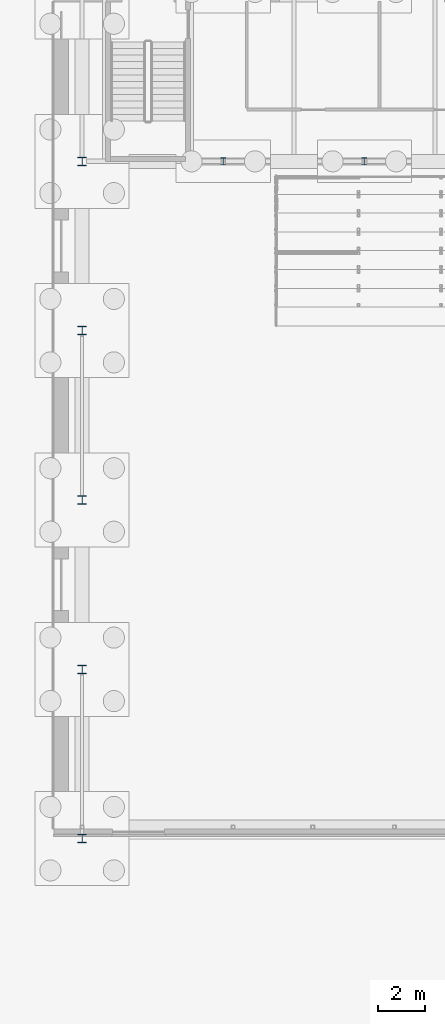
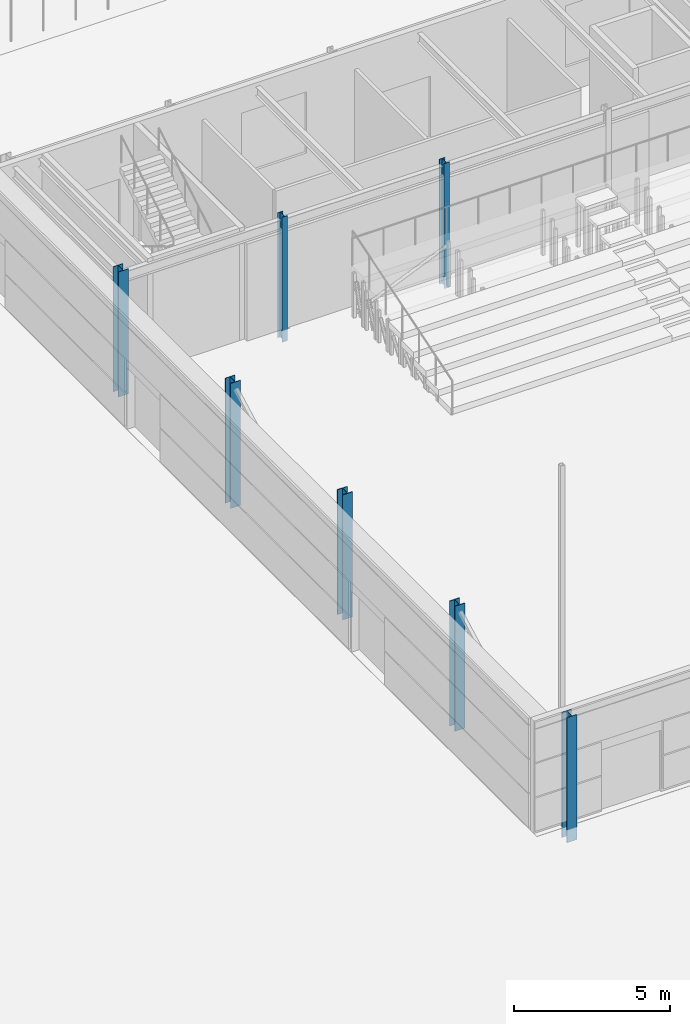
# One storey, part 14 of 139: 7 columns.
"""IFC4 building model written with IfcOpenShell, lengths in metres."""

import ifcopenshell
import ifcopenshell.guid

model = None  # the IFC model being written
_history = None  # IfcOwnerHistory: only IFC2X3 demands one
_inside = {}  # id of a spatial element -> (the spatial element, [elements in it])
_under = {}  # id of a project, library or spatial element -> (it, [spatial elements below it])
_declared = {}  # id of a project -> (the project, [libraries it declares])
_typed = {}  # id of a type object -> (the type object, [elements of that type])
_made_of = {}  # id of a material, layer set ... -> (it, [elements and type objects made of it])


def new_model(schema):
    """Start an empty IFC model of exactly this schema.

    Asked for "IFC4X3", IfcOpenShell would pick the latest addendum, in which some entities
    have other attributes; the version numbers below select the first issue.
    IFC2X3 requires an IfcOwnerHistory on every rooted entity: one is made here for all.
    """
    global model, _history
    if schema == "IFC4X3":
        model = ifcopenshell.file(schema_version=(4, 3, 0, 0))
    else:
        model = ifcopenshell.file(schema=schema)
    _inside.clear()
    _under.clear()
    _declared.clear()
    _typed.clear()
    _made_of.clear()
    _history = None
    if model.schema == "IFC2X3":
        org = make("IfcOrganization", Name="unknown")
        user = make(
            "IfcPersonAndOrganization",
            ThePerson=make("IfcPerson", FamilyName="unknown"),
            TheOrganization=org,
        )
        app = make(
            "IfcApplication",
            ApplicationDeveloper=org,
            Version="unknown",
            ApplicationFullName="unknown",
            ApplicationIdentifier="unknown",
        )
        _history = make(
            "IfcOwnerHistory",
            OwningUser=user,
            OwningApplication=app,
            ChangeAction="ADDED",
            CreationDate=0,
        )
    return model


def make(cls, **values):
    """One entity of the class cls with the attributes given. An attribute that is None is left unset."""
    return model.create_entity(
        cls, **{name: value for name, value in values.items() if value is not None}
    )


def rooted(cls, **values):
    """An entity with a GlobalId (a new one), such as an element, a storey or a relation."""
    return make(cls, GlobalId=ifcopenshell.guid.new(), OwnerHistory=_history, **values)


def si_unit(unit_type, name, prefix=None):
    """IfcSIUnit, for example si_unit("LENGTHUNIT", "METRE", prefix="MILLI")."""
    return make("IfcSIUnit", UnitType=unit_type, Prefix=prefix, Name=name)


def assignment(units):
    """IfcUnitAssignment: the units of a project."""
    return None if units is None else make("IfcUnitAssignment", Units=units)


def point(xyz):
    """IfcCartesianPoint."""
    return None if xyz is None else make("IfcCartesianPoint", Coordinates=xyz)


def direction(xyz):
    """IfcDirection."""
    return None if xyz is None else make("IfcDirection", DirectionRatios=xyz)


def frame(location, z_axis=None, x_axis=None):
    """IfcAxis2Placement3D, a coordinate frame: its origin and axes. An axis left out is left unset."""
    return make(
        "IfcAxis2Placement3D",
        Location=point(location),
        Axis=direction(z_axis),
        RefDirection=direction(x_axis),
    )


def frame_2d(location, x_axis=None):
    """IfcAxis2Placement2D, a coordinate frame in the plane: its origin and x axis."""
    return make(
        "IfcAxis2Placement2D", Location=point(location), RefDirection=direction(x_axis)
    )


def origin():
    """The frame at (0, 0, 0) with its axes left unset."""
    return frame((0.0, 0.0, 0.0))


def origin_2d():
    """The frame at (0, 0) in the plane with its x axis left unset."""
    return frame_2d((0.0, 0.0))


def place(relative_to, where):
    """IfcLocalPlacement: puts the frame where relative to a parent placement (None: the world)."""
    return make(
        "IfcLocalPlacement", PlacementRelTo=relative_to, RelativePlacement=where
    )


def context(
    kind, dimensions, precision=None, world=None, true_north=None, identifier=None
):
    """IfcGeometricRepresentationContext, for example the 3D "Model" context."""
    return make(
        "IfcGeometricRepresentationContext",
        ContextIdentifier=identifier,
        ContextType=kind,
        CoordinateSpaceDimension=dimensions,
        Precision=precision,
        WorldCoordinateSystem=world,
        TrueNorth=true_north,
    )


def subcontext(parent, identifier, kind, view, scale=None):
    """IfcGeometricRepresentationSubContext, for example "Body" below "Model"."""
    return make(
        "IfcGeometricRepresentationSubContext",
        ContextIdentifier=identifier,
        ContextType=kind,
        ParentContext=parent,
        TargetScale=scale,
        TargetView=view,
    )


def project(units=None, contexts=None):
    """IfcProject with its units and contexts."""
    return rooted(
        "IfcProject",
        Name="project",
        RepresentationContexts=contexts,
        UnitsInContext=assignment(units),
    )


def spatial(cls, under=None, at=None, **own):
    """A site, building, storey or space (cls), placed at a placement, below another one or the project."""
    s = rooted(cls, ObjectPlacement=at, **own)
    if under is not None:
        _under.setdefault(under.id(), (under, []))[1].append(s)
    return s


def profile(cls, at=None, kind="AREA", **sizes):
    """A parametric profile (cls). Its sizes go by their IFC names, for example OverallWidth=200.0."""
    return make(cls, ProfileType=kind, Position=at, **sizes)


def i_section(**sizes):
    """IfcIShapeProfileDef."""
    return profile("IfcIShapeProfileDef", **sizes)


def extrude(swept, where, along, depth):
    """IfcExtrudedAreaSolid: the profile swept, set in the frame where, extruded along a direction by depth."""
    return make(
        "IfcExtrudedAreaSolid",
        SweptArea=swept,
        Position=where,
        ExtrudedDirection=direction(along),
        Depth=depth,
    )


def shape(context_of_items, identifier, shape_type, items):
    """IfcShapeRepresentation: the items that make up one representation, for example the "Body"."""
    return make(
        "IfcShapeRepresentation",
        ContextOfItems=context_of_items,
        RepresentationIdentifier=identifier,
        RepresentationType=shape_type,
        Items=items,
    )


def material(Name=None, Category=None):
    """IfcMaterial."""
    return make("IfcMaterial", Name=Name, Category=Category)


def material_profile(
    of_material, cross_section, Name=None, Category=None, Priority=None
):
    """IfcMaterialProfile: a cross section and its material."""
    return make(
        "IfcMaterialProfile",
        Name=Name,
        Material=of_material,
        Profile=cross_section,
        Priority=Priority,
        Category=Category,
    )


def profile_set(profiles, Name=None, composite=None):
    """IfcMaterialProfileSet."""
    return make(
        "IfcMaterialProfileSet",
        Name=Name,
        MaterialProfiles=profiles,
        CompositeProfile=composite,
    )


def made_of(thing, what):
    """Note that an element or type object is made of a material, layer set ...; save() writes the relation."""
    if what is not None:
        _made_of.setdefault(what.id(), (what, []))[1].append(thing)
    return thing


def type_object(cls, material=None, **own):
    """A type object (cls), such as IfcWallType, which elements share."""
    return made_of(rooted(cls, **own), material)


def element(
    cls,
    number,
    at=None,
    inside=None,
    cuts=None,
    type_object=None,
    material=None,
    context=None,
    identifier="Body",
    shape_type=None,
    held_by="IfcProductDefinitionShape",
    body=None,
    shapes=None,
    **own,
):
    """One element of the class cls, such as IfcWall. Its Tag is "e" and its number.

    at: its placement. inside: the storey or other place that contains it. cuts: it is an
    opening in that element (IfcRelVoidsElement). A single representation is given by context,
    identifier, shape_type and body (its items); several are given by shapes. held_by: the class
    of the entity that holds the representations. save() writes the other relations.
    """
    e = rooted(cls, Tag="e%d" % number, ObjectPlacement=at, **own)
    if body is not None:
        shapes = [shape(context, identifier, shape_type, body)]
    if shapes is not None:
        e.Representation = make(held_by, Representations=shapes)
    if inside is not None:
        _inside.setdefault(inside.id(), (inside, []))[1].append(e)
    if cuts is not None:
        rooted(
            "IfcRelVoidsElement", RelatingBuildingElement=cuts, RelatedOpeningElement=e
        )
    if type_object is not None:
        _typed.setdefault(type_object.id(), (type_object, []))[1].append(e)
    return made_of(e, material)


def aggregate(whole, parts):
    """IfcRelAggregates: a whole, such as a stair, and the parts it consists of."""
    return rooted("IfcRelAggregates", RelatingObject=whole, RelatedObjects=parts)


def save(model, path):
    """Write the relations noted so far, then the file.

    IfcRelAggregates (storeys below a building ...), IfcRelContainedInSpatialStructure (elements
    in a storey), IfcRelDefinesByType, IfcRelAssociatesMaterial and IfcRelDeclares: one each for
    every whole, place, type object, material and project.
    """
    for whole, parts in _under.values():
        aggregate(whole, parts)
    for where, things in _inside.values():
        rooted(
            "IfcRelContainedInSpatialStructure",
            RelatedElements=things,
            RelatingStructure=where,
        )
    for kind, things in _typed.values():
        rooted("IfcRelDefinesByType", RelatedObjects=things, RelatingType=kind)
    for what, things in _made_of.values():
        rooted("IfcRelAssociatesMaterial", RelatedObjects=things, RelatingMaterial=what)
    for by, libraries in _declared.values():
        rooted("IfcRelDeclares", RelatingContext=by, RelatedDefinitions=libraries)
    model.write(path)


model = new_model("IFC4")

# Units and contexts
model_context = context("Model", 3, precision=1e-05, world=origin(), true_north=direction((0.0, 1.0)))
body_context = subcontext(model_context, "Body", "Model", "MODEL_VIEW")
ifc_project = project(units=[si_unit("LENGTHUNIT", "METRE"), si_unit("AREAUNIT", "SQUARE_METRE"), si_unit("VOLUMEUNIT", "CUBIC_METRE"), si_unit("PLANEANGLEUNIT", "RADIAN"), si_unit("MASSUNIT", "GRAM", prefix="KILO")], contexts=[model_context])

# Site, building, storey
site_placement = place(None, origin())
site = spatial("IfcSite", under=ifc_project, at=site_placement, CompositionType="ELEMENT")
building_placement = place(site_placement, origin())
building = spatial("IfcBuilding", under=site, at=building_placement, Name="Verrick Yard Athletic Hall", CompositionType="ELEMENT")
storey_placement = place(building_placement, origin())
storey = spatial("IfcBuildingStorey", under=building, at=storey_placement, Name="L00", CompositionType="ELEMENT", Elevation=0.0)

# Columns
ifc_material = material(Name="Structural steel 350W (CSA G40.21)", Category="steel")
ifc_material_profile_1 = material_profile(ifc_material, i_section(OverallWidth=0.205078125, OverallDepth=0.31005859375, WebThickness=0.009521484375, FlangeThickness=0.016357421875, at=origin_2d()), Name="W310x74")
ifc_profile_set_1 = profile_set([ifc_material_profile_1], Name="Structural steel 350W (CSA G40.21)")
column_type_1 = type_object("IfcColumnType", Name="HB column W310x74", PredefinedType="COLUMN", material=ifc_profile_set_1)
for number, where, z_axis, x_axis, name in (
    (1, (34.0, 100.800048828125, -0.5), (0.0, 0.0, 1.0), (1.0, 0.0, 0.0), "HB-C-B-B1S-L00"),
    (2, (40.0, 100.800048828125, -0.5), (0.0, 0.0, 1.0), (1.0, 0.0, 0.0), "HB-C-B-B2S-L00"),
):
    element("IfcColumn", number, at=place(storey_placement, frame(where, z_axis=z_axis, x_axis=x_axis)), inside=storey, type_object=column_type_1, Name=name, PredefinedType="COLUMN", context=body_context, shape_type="SweptSolid", body=[
        extrude(i_section(OverallWidth=0.205078125, OverallDepth=0.31005859375, WebThickness=0.009521484375, FlangeThickness=0.016357421875, at=origin_2d()), origin(), (0.0, 0.0, 1.0), 4.89990234375),
    ])
ifc_material_profile_2 = material_profile(ifc_material, i_section(OverallWidth=0.368896484375, OverallDepth=0.35595703125, WebThickness=0.01123046875, FlangeThickness=0.01806640625, at=origin_2d()), Name="W360x134")
ifc_profile_set_2 = profile_set([ifc_material_profile_2], Name="Structural steel 350W (CSA G40.21)")
column_type_2 = type_object("IfcColumnType", Name="HB column W360x134", PredefinedType="COLUMN", material=ifc_profile_set_2)
for number, where, z_axis, x_axis, name in (
    (3, (28.0, 72.0, -0.5), (0.0, 0.0, 1.0), (1.0, 0.0, 0.0), "HB-C-HBW1-L00"),
    (4, (28.0, 79.199951171875, -0.5), (0.0, 0.0, 1.0), (1.0, 0.0, 0.0), "HB-C-HBW2-L00"),
    (5, (28.0, 86.39990234375, -0.5), (0.0, 0.0, 1.0), (1.0, 0.0, 0.0), "HB-C-HBW3-L00"),
    (6, (28.0, 93.60009765625, -0.5), (0.0, 0.0, 1.0), (1.0, 0.0, 0.0), "HB-C-HBW4-L00"),
    (7, (28.0, 100.800048828125, -0.5), (0.0, 0.0, 1.0), (1.0, 0.0, 0.0), "HB-C-HBW5-L00"),
):
    element("IfcColumn", number, at=place(storey_placement, frame(where, z_axis=z_axis, x_axis=x_axis)), inside=storey, type_object=column_type_2, Name=name, PredefinedType="COLUMN", context=body_context, shape_type="SweptSolid", body=[
        extrude(i_section(OverallWidth=0.368896484375, OverallDepth=0.35595703125, WebThickness=0.01123046875, FlangeThickness=0.01806640625, at=origin_2d()), origin(), (0.0, 0.0, 1.0), 4.89990234375),
    ])

save(model, "model.ifc")
